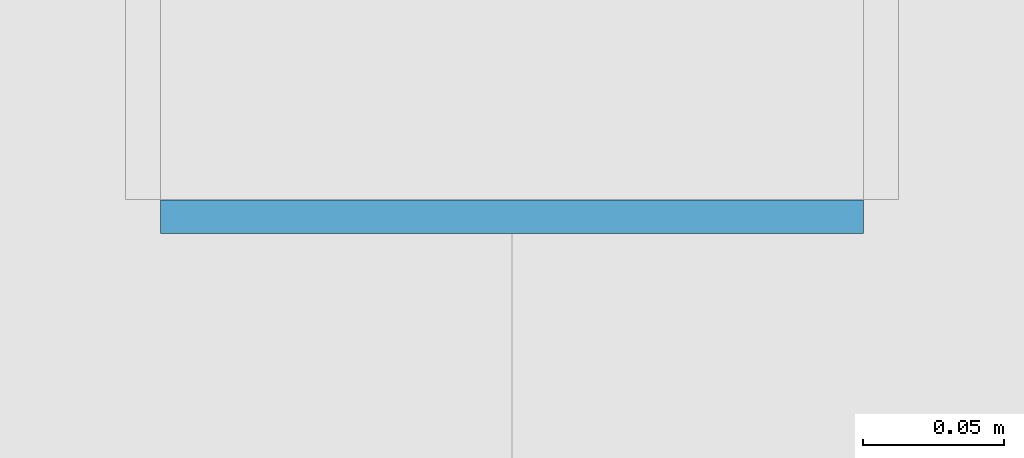
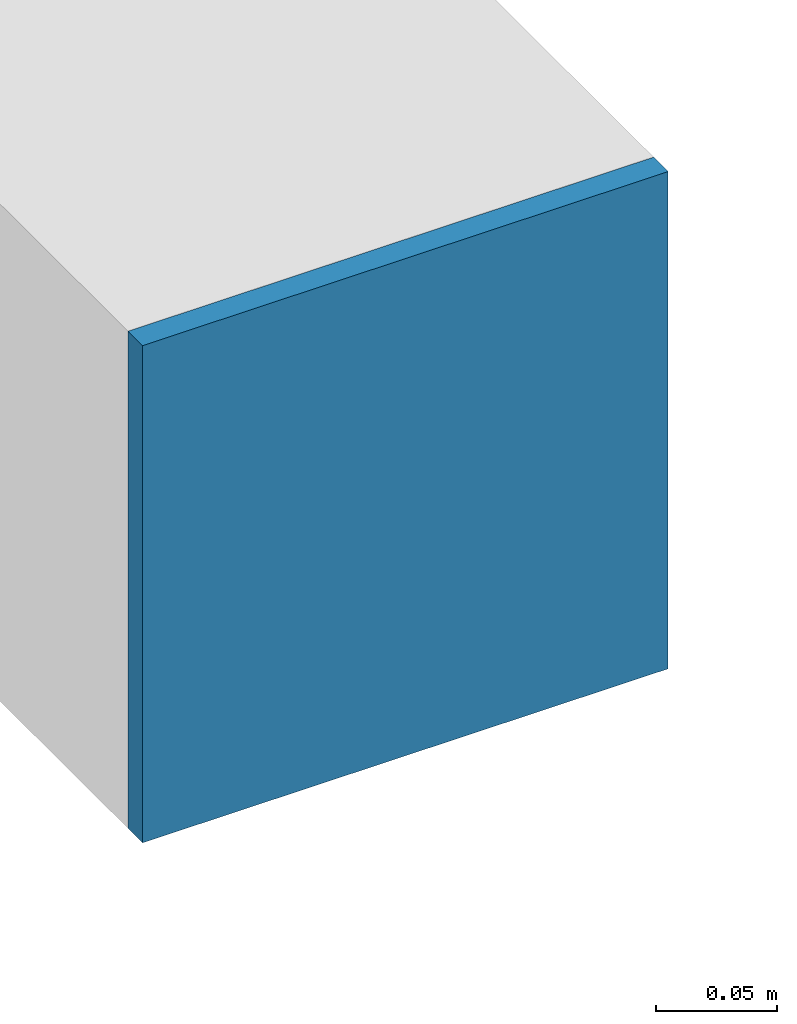
# One storey, part 45 of 59: 1 plate.
"""IFC4 building model written with IfcOpenShell, lengths in metres."""

from ifc_helpers import new_model, si_unit, direction, frame, origin, origin_2d, place, context, subcontext, project, spatial, rectangle, extrude, source, transform, mapped, material, layer, layer_set, type_object, element, save


model = new_model("IFC4")

# Units and contexts
model_context = context("Model", 3, precision=1e-05, world=origin(), true_north=direction((0.0, 1.0)))
body_context = subcontext(model_context, "Body", "Model", "MODEL_VIEW")
ifc_project = project(units=[si_unit("LENGTHUNIT", "METRE"), si_unit("AREAUNIT", "SQUARE_METRE"), si_unit("VOLUMEUNIT", "CUBIC_METRE"), si_unit("PLANEANGLEUNIT", "RADIAN"), si_unit("MASSUNIT", "GRAM", prefix="KILO")], contexts=[model_context])

# Site, building, storey
site_placement = place(None, origin())
site = spatial("IfcSite", under=ifc_project, at=site_placement, CompositionType="ELEMENT")
building_placement = place(site_placement, origin())
building = spatial("IfcBuilding", under=site, at=building_placement, Name="Taldren Reach Tower", CompositionType="ELEMENT")
storey_placement = place(building_placement, frame((0.0, 0.0, 19.949951171875)))
storey = spatial("IfcBuildingStorey", under=building, at=storey_placement, Name="L05", CompositionType="ELEMENT", Elevation=19.949951171875)

# Plate
ifc_material = material(Name="Steel Gr 350 (C350L0)", Category="steel")
ifc_layer = layer(ifc_material, 0.011962890625)
ifc_layer_set = layer_set([ifc_layer], Name="Steel Gr 350 (C350L0)")
plate_type = type_object("IfcPlateType", Name="PL-CAP-250", PredefinedType="SHEET", material=ifc_layer_set)
shared_shape = source(origin(), body_context, "Body", "SweptSolid", [
    extrude(rectangle(XDim=0.25, YDim=0.011962890625, at=origin_2d()), origin(), (0.0, 0.0, 1.0), 0.25),
])
plate_placement = place(storey_placement, frame((29.760009765625, 0.593994140625, 0.094970703125), z_axis=(0.0, 0.0, 1.0), x_axis=(1.0, 0.0, 0.0)))
element("IfcPlate", 1, at=plate_placement, inside=storey, type_object=plate_type, Name="Tie strut end cap plate B1-S3 L05", PredefinedType="SHEET", context=body_context, shape_type="MappedRepresentation", body=[
    mapped(shared_shape, transform((0.0, 0.0, 0.0), scale=1.0)),
])

save(model, "model.ifc")
